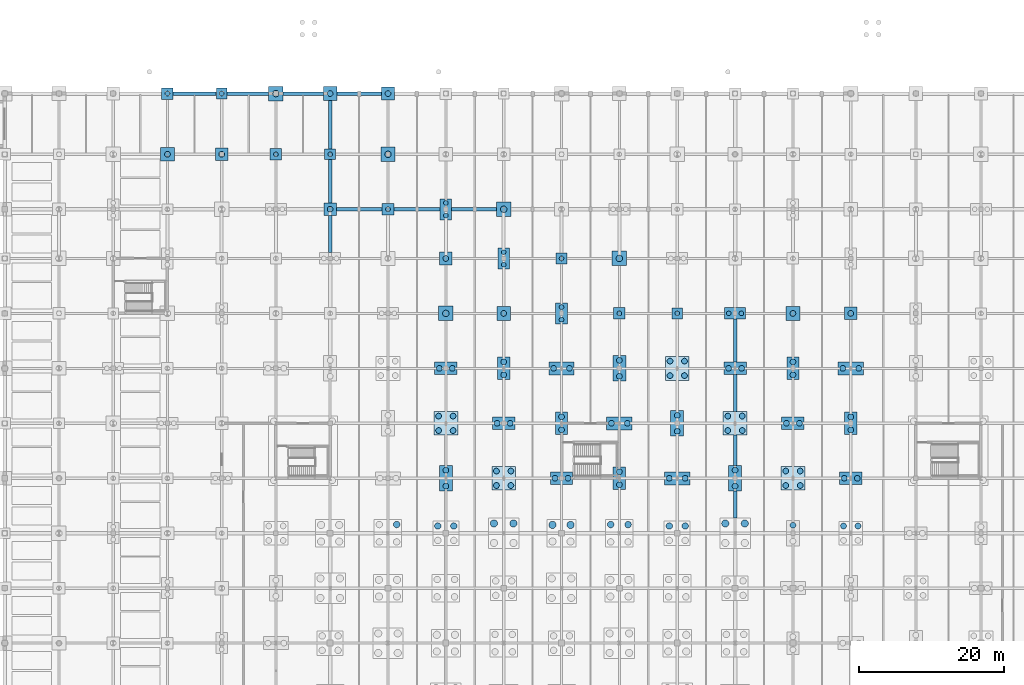
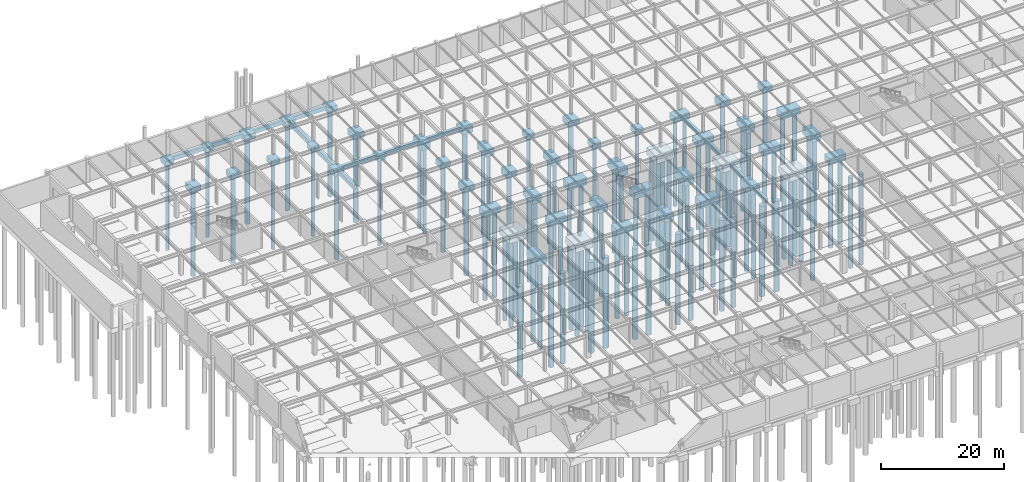
# One storey, part 5 of 53: 104 piles, 64 footings.
"""IFC4 building model written with IfcOpenShell, lengths in metres."""

from ifc_helpers import new_model, si_unit, direction, frame, origin, origin_2d, place, context, subcontext, project, spatial, rectangle, circle, extrude, material, material_profile, profile_set, type_object, element, save


model = new_model("IFC4")

# Units and contexts
model_context = context("Model", 3, precision=1e-05, world=origin(), true_north=direction((0.0, 1.0)))
body_context = subcontext(model_context, "Body", "Model", "MODEL_VIEW")
ifc_project = project(units=[si_unit("LENGTHUNIT", "METRE"), si_unit("AREAUNIT", "SQUARE_METRE"), si_unit("VOLUMEUNIT", "CUBIC_METRE"), si_unit("PLANEANGLEUNIT", "RADIAN"), si_unit("MASSUNIT", "GRAM", prefix="KILO")], contexts=[model_context])

# Site, building, storey
site_placement = place(None, origin())
site = spatial("IfcSite", under=ifc_project, at=site_placement, CompositionType="ELEMENT")
building_placement = place(site_placement, origin())
building = spatial("IfcBuilding", under=site, at=building_placement, Name="Shalkamar Park Central Library", CompositionType="ELEMENT")
storey_placement = place(building_placement, frame((0.0, 0.0, -4.800048828125)))
storey = spatial("IfcBuildingStorey", under=building, at=storey_placement, Name="B1", CompositionType="ELEMENT", Elevation=-4.800048828125)

# Piles
ifc_material = material(Name="Concrete C35/45", Category="concrete")
ifc_material_profile_1 = material_profile(ifc_material, circle(Radius=0.5, at=origin_2d()), Name="PILE D1000")
ifc_profile_set_1 = profile_set([ifc_material_profile_1], Name="Concrete C35/45")
pile_type_1 = type_object("IfcPileType", Name="Bored Concrete Pile D1000", PredefinedType="BORED", material=ifc_profile_set_1)
for number, where, z_axis, x_axis, name in (
    (1, (187.64990234375, 294.550048828125, -0.800048828125), (0.0, 0.0, -1.0), (1.0, 0.0, 0.0), "Bored Pile FC-10-H-P02"),
    (2, (190.35009765625, 294.550048828125, -0.800048828125), (0.0, 0.0, -1.0), (1.0, 0.0, 0.0), "Bored Pile FC-10-H-P04"),
    (3, (195.75, 294.35009765625, -0.800048828125), (0.0, 0.0, -1.0), (1.0, 0.0, 0.0), "Bored Pile FC-11-H-P02"),
    (4, (198.25, 294.35009765625, -0.800048828125), (0.0, 0.0, -1.0), (1.0, 0.0, 0.0), "Bored Pile FC-11-H-P04"),
    (5, (219.64990234375, 294.550048828125, -0.800048828125), (0.0, 0.0, -1.0), (1.0, 0.0, 0.0), "Bored Pile FC-14-H-P02"),
    (6, (222.35009765625, 294.550048828125, -0.800048828125), (0.0, 0.0, -1.0), (1.0, 0.0, 0.0), "Bored Pile FC-14-H-P04"),
):
    element("IfcPile", number, at=place(storey_placement, frame(where, z_axis=z_axis, x_axis=x_axis)), inside=storey, type_object=pile_type_1, Name=name, PredefinedType="BORED", context=body_context, shape_type="SweptSolid", body=[
        extrude(circle(Radius=0.5, at=origin_2d()), origin(), (0.0, 0.0, 1.0), 18.0),
    ])
ifc_material_profile_2 = material_profile(ifc_material, circle(Radius=0.324951171875, at=origin_2d()), Name="PILE D650")
ifc_profile_set_2 = profile_set([ifc_material_profile_2], Name="Concrete C35/45")
pile_type_2 = type_object("IfcPileType", Name="Bored Concrete Pile D650", PredefinedType="BORED", material=ifc_profile_set_2)
for number, where, z_axis, x_axis, name in (
    (7, (142.5, 354.0, -0.800048828125), (0.0, 0.0, -1.0), (1.0, 0.0, 0.0), "Bored Pile FC-04-R-P01"),
    (8, (150.0, 354.0, -0.800048828125), (0.0, 0.0, -1.0), (1.0, 0.0, 0.0), "Bored Pile FC-05-R-P01"),
    (9, (157.5, 345.60009765625, -0.800048828125), (0.0, 0.0, -1.0), (1.0, 0.0, 0.0), "Bored Pile FC-06-Q-P01"),
    (10, (165.0, 345.60009765625, -0.800048828125), (0.0, 0.0, -1.0), (1.0, 0.0, 0.0), "Bored Pile FC-07-Q-P01"),
    (11, (173.0, 338.0, -0.800048828125), (0.0, 0.0, -1.0), (1.0, 0.0, 0.0), "Bored Pile FC-08-P-P01"),
    (12, (181.0, 337.125, -0.800048828125), (0.0, 0.0, -1.0), (1.0, 0.0, 0.0), "Bored Pile FC-09-P-P01"),
    (13, (181.0, 338.875, -0.800048828125), (0.0, 0.0, -1.0), (1.0, 0.0, 0.0), "Bored Pile FC-09-P-P02"),
    (14, (189.0, 330.324951171875, -0.800048828125), (0.0, 0.0, -1.0), (1.0, 0.0, 0.0), "Bored Pile FC-10-N-P01"),
    (15, (189.0, 332.074951171875, -0.800048828125), (0.0, 0.0, -1.0), (1.0, 0.0, 0.0), "Bored Pile FC-10-N-P02"),
    (16, (197.0, 322.72509765625, -0.800048828125), (0.0, 0.0, -1.0), (1.0, 0.0, 0.0), "Bored Pile FC-11-M-P01"),
    (17, (197.0, 324.47509765625, -0.800048828125), (0.0, 0.0, -1.0), (1.0, 0.0, 0.0), "Bored Pile FC-11-M-P02"),
    (18, (197.0, 331.199951171875, -0.800048828125), (0.0, 0.0, -1.0), (1.0, 0.0, 0.0), "Bored Pile FC-11-N-P01"),
    (19, (205.0, 323.60009765625, -0.800048828125), (0.0, 0.0, -1.0), (1.0, 0.0, 0.0), "Bored Pile FC-12-M-P01"),
    (20, (213.0, 323.60009765625, -0.800048828125), (0.0, 0.0, -1.0), (1.0, 0.0, 0.0), "Bored Pile FC-13-M-P01"),
    (21, (220.125, 323.60009765625, -0.800048828125), (0.0, 0.0, -1.0), (1.0, 0.0, 0.0), "Bored Pile FC-14-M-P01"),
    (22, (221.875, 323.60009765625, -0.800048828125), (0.0, 0.0, -1.0), (1.0, 0.0, 0.0), "Bored Pile FC-14-M-P02"),
):
    element("IfcPile", number, at=place(storey_placement, frame(where, z_axis=z_axis, x_axis=x_axis)), inside=storey, type_object=pile_type_2, Name=name, PredefinedType="BORED", context=body_context, shape_type="SweptSolid", body=[
        extrude(circle(Radius=0.324951171875, at=origin_2d()), origin(), (0.0, 0.0, 1.0), 18.0),
    ])
ifc_material_profile_3 = material_profile(ifc_material, circle(Radius=0.39990234375, at=origin_2d()), Name="PILE D800")
ifc_profile_set_3 = profile_set([ifc_material_profile_3], Name="Concrete C35/45")
pile_type_3 = type_object("IfcPileType", Name="Bored Concrete Pile D800", PredefinedType="BORED", material=ifc_profile_set_3)
for number, where, z_axis, x_axis, name in (
    (23, (142.5, 345.60009765625, -0.800048828125), (0.0, 0.0, -1.0), (1.0, 0.0, 0.0), "Bored Pile FC-04-Q-P01"),
    (24, (150.0, 345.60009765625, -0.800048828125), (0.0, 0.0, -1.0), (1.0, 0.0, 0.0), "Bored Pile FC-05-Q-P01"),
    (25, (165.0, 338.0, -0.800048828125), (0.0, 0.0, -1.0), (1.0, 0.0, 0.0), "Bored Pile FC-07-P-P01"),
    (26, (165.0, 354.0, -0.800048828125), (0.0, 0.0, -1.0), (1.0, 0.0, 0.0), "Bored Pile FC-07-R-P01"),
    (27, (173.0, 354.0, -0.800048828125), (0.0, 0.0, -1.0), (1.0, 0.0, 0.0), "Bored Pile FC-08-R-P01"),
    (28, (181.0, 299.699951171875, -0.800048828125), (0.0, 0.0, -1.0), (1.0, 0.0, 0.0), "Bored Pile FC-09-J-P01"),
    (29, (181.0, 301.89990234375, -0.800048828125), (0.0, 0.0, -1.0), (1.0, 0.0, 0.0), "Bored Pile FC-09-J-P02"),
    (30, (180.0, 307.39990234375, -0.800048828125), (0.0, 0.0, -1.0), (1.0, 0.0, 0.0), "Bored Pile FC-09-K-P01"),
    (31, (180.0, 309.39990234375, -0.800048828125), (0.0, 0.0, -1.0), (1.0, 0.0, 0.0), "Bored Pile FC-09-K-P02"),
    (32, (182.0, 307.39990234375, -0.800048828125), (0.0, 0.0, -1.0), (1.0, 0.0, 0.0), "Bored Pile FC-09-K-P03"),
    (33, (182.0, 309.39990234375, -0.800048828125), (0.0, 0.0, -1.0), (1.0, 0.0, 0.0), "Bored Pile FC-09-K-P04"),
    (34, (180.10009765625, 316.0, -0.800048828125), (0.0, 0.0, -1.0), (1.0, 0.0, 0.0), "Bored Pile FC-09-L-P01"),
    (35, (181.89990234375, 316.0, -0.800048828125), (0.0, 0.0, -1.0), (1.0, 0.0, 0.0), "Bored Pile FC-09-L-P02"),
    (36, (181.0, 331.199951171875, -0.800048828125), (0.0, 0.0, -1.0), (1.0, 0.0, 0.0), "Bored Pile FC-09-N-P01"),
    (37, (188.0, 299.800048828125, -0.800048828125), (0.0, 0.0, -1.0), (1.0, 0.0, 0.0), "Bored Pile FC-10-J-P01"),
    (38, (188.0, 301.800048828125, -0.800048828125), (0.0, 0.0, -1.0), (1.0, 0.0, 0.0), "Bored Pile FC-10-J-P02"),
    (39, (190.0, 299.800048828125, -0.800048828125), (0.0, 0.0, -1.0), (1.0, 0.0, 0.0), "Bored Pile FC-10-J-P03"),
    (40, (190.0, 301.800048828125, -0.800048828125), (0.0, 0.0, -1.0), (1.0, 0.0, 0.0), "Bored Pile FC-10-J-P04"),
    (41, (188.10009765625, 308.39990234375, -0.800048828125), (0.0, 0.0, -1.0), (1.0, 0.0, 0.0), "Bored Pile FC-10-K-P01"),
    (42, (189.89990234375, 308.39990234375, -0.800048828125), (0.0, 0.0, -1.0), (1.0, 0.0, 0.0), "Bored Pile FC-10-K-P02"),
    (43, (189.0, 315.10009765625, -0.800048828125), (0.0, 0.0, -1.0), (1.0, 0.0, 0.0), "Bored Pile FC-10-L-P01"),
    (44, (189.0, 316.89990234375, -0.800048828125), (0.0, 0.0, -1.0), (1.0, 0.0, 0.0), "Bored Pile FC-10-L-P02"),
    (45, (189.0, 323.60009765625, -0.800048828125), (0.0, 0.0, -1.0), (1.0, 0.0, 0.0), "Bored Pile FC-10-M-P01"),
    (46, (196.10009765625, 300.800048828125, -0.800048828125), (0.0, 0.0, -1.0), (1.0, 0.0, 0.0), "Bored Pile FC-11-J-P01"),
    (47, (197.89990234375, 300.800048828125, -0.800048828125), (0.0, 0.0, -1.0), (1.0, 0.0, 0.0), "Bored Pile FC-11-J-P02"),
    (48, (197.0, 307.5, -0.800048828125), (0.0, 0.0, -1.0), (1.0, 0.0, 0.0), "Bored Pile FC-11-K-P01"),
    (49, (197.0, 309.300048828125, -0.800048828125), (0.0, 0.0, -1.0), (1.0, 0.0, 0.0), "Bored Pile FC-11-K-P02"),
    (50, (195.89990234375, 316.0, -0.800048828125), (0.0, 0.0, -1.0), (1.0, 0.0, 0.0), "Bored Pile FC-11-L-P01"),
    (51, (198.10009765625, 316.0, -0.800048828125), (0.0, 0.0, -1.0), (1.0, 0.0, 0.0), "Bored Pile FC-11-L-P02"),
    (52, (205.0, 299.89990234375, -0.800048828125), (0.0, 0.0, -1.0), (1.0, 0.0, 0.0), "Bored Pile FC-12-J-P01"),
    (53, (205.0, 301.699951171875, -0.800048828125), (0.0, 0.0, -1.0), (1.0, 0.0, 0.0), "Bored Pile FC-12-J-P02"),
    (54, (203.89990234375, 308.39990234375, -0.800048828125), (0.0, 0.0, -1.0), (1.0, 0.0, 0.0), "Bored Pile FC-12-K-P01"),
    (55, (206.10009765625, 308.39990234375, -0.800048828125), (0.0, 0.0, -1.0), (1.0, 0.0, 0.0), "Bored Pile FC-12-K-P02"),
    (56, (205.0, 314.89990234375, -0.800048828125), (0.0, 0.0, -1.0), (1.0, 0.0, 0.0), "Bored Pile FC-12-L-P01"),
    (57, (205.0, 317.10009765625, -0.800048828125), (0.0, 0.0, -1.0), (1.0, 0.0, 0.0), "Bored Pile FC-12-L-P02"),
    (58, (211.89990234375, 300.800048828125, -0.800048828125), (0.0, 0.0, -1.0), (1.0, 0.0, 0.0), "Bored Pile FC-13-J-P01"),
    (59, (214.10009765625, 300.800048828125, -0.800048828125), (0.0, 0.0, -1.0), (1.0, 0.0, 0.0), "Bored Pile FC-13-J-P02"),
    (60, (213.0, 307.300048828125, -0.800048828125), (0.0, 0.0, -1.0), (1.0, 0.0, 0.0), "Bored Pile FC-13-K-P01"),
    (61, (213.0, 309.5, -0.800048828125), (0.0, 0.0, -1.0), (1.0, 0.0, 0.0), "Bored Pile FC-13-K-P02"),
    (62, (212.0, 315.0, -0.800048828125), (0.0, 0.0, -1.0), (1.0, 0.0, 0.0), "Bored Pile FC-13-L-P01"),
    (63, (212.0, 317.0, -0.800048828125), (0.0, 0.0, -1.0), (1.0, 0.0, 0.0), "Bored Pile FC-13-L-P02"),
    (64, (214.0, 315.0, -0.800048828125), (0.0, 0.0, -1.0), (1.0, 0.0, 0.0), "Bored Pile FC-13-L-P03"),
    (65, (214.0, 317.0, -0.800048828125), (0.0, 0.0, -1.0), (1.0, 0.0, 0.0), "Bored Pile FC-13-L-P04"),
    (66, (221.0, 299.699951171875, -0.800048828125), (0.0, 0.0, -1.0), (1.0, 0.0, 0.0), "Bored Pile FC-14-J-P01"),
    (67, (221.0, 301.89990234375, -0.800048828125), (0.0, 0.0, -1.0), (1.0, 0.0, 0.0), "Bored Pile FC-14-J-P02"),
    (68, (220.0, 307.39990234375, -0.800048828125), (0.0, 0.0, -1.0), (1.0, 0.0, 0.0), "Bored Pile FC-14-K-P01"),
    (69, (220.0, 309.39990234375, -0.800048828125), (0.0, 0.0, -1.0), (1.0, 0.0, 0.0), "Bored Pile FC-14-K-P02"),
    (70, (222.0, 307.39990234375, -0.800048828125), (0.0, 0.0, -1.0), (1.0, 0.0, 0.0), "Bored Pile FC-14-K-P03"),
    (71, (222.0, 309.39990234375, -0.800048828125), (0.0, 0.0, -1.0), (1.0, 0.0, 0.0), "Bored Pile FC-14-K-P04"),
    (72, (220.10009765625, 316.0, -0.800048828125), (0.0, 0.0, -1.0), (1.0, 0.0, 0.0), "Bored Pile FC-14-L-P01"),
    (73, (221.89990234375, 316.0, -0.800048828125), (0.0, 0.0, -1.0), (1.0, 0.0, 0.0), "Bored Pile FC-14-L-P02"),
    (74, (229.0, 294.300048828125, -0.800048828125), (0.0, 0.0, -1.0), (1.0, 0.0, 0.0), "Bored Pile FC-15-H-P02"),
    (75, (228.0, 299.800048828125, -0.800048828125), (0.0, 0.0, -1.0), (1.0, 0.0, 0.0), "Bored Pile FC-15-J-P01"),
    (76, (228.0, 301.800048828125, -0.800048828125), (0.0, 0.0, -1.0), (1.0, 0.0, 0.0), "Bored Pile FC-15-J-P02"),
    (77, (230.0, 299.800048828125, -0.800048828125), (0.0, 0.0, -1.0), (1.0, 0.0, 0.0), "Bored Pile FC-15-J-P03"),
    (78, (230.0, 301.800048828125, -0.800048828125), (0.0, 0.0, -1.0), (1.0, 0.0, 0.0), "Bored Pile FC-15-J-P04"),
    (79, (228.10009765625, 308.39990234375, -0.800048828125), (0.0, 0.0, -1.0), (1.0, 0.0, 0.0), "Bored Pile FC-15-K-P01"),
    (80, (229.89990234375, 308.39990234375, -0.800048828125), (0.0, 0.0, -1.0), (1.0, 0.0, 0.0), "Bored Pile FC-15-K-P02"),
    (81, (229.0, 315.10009765625, -0.800048828125), (0.0, 0.0, -1.0), (1.0, 0.0, 0.0), "Bored Pile FC-15-L-P01"),
    (82, (229.0, 316.89990234375, -0.800048828125), (0.0, 0.0, -1.0), (1.0, 0.0, 0.0), "Bored Pile FC-15-L-P02"),
    (83, (229.0, 323.60009765625, -0.800048828125), (0.0, 0.0, -1.0), (1.0, 0.0, 0.0), "Bored Pile FC-15-M-P01"),
    (84, (236.0, 294.199951171875, -0.800048828125), (0.0, 0.0, -1.0), (1.0, 0.0, 0.0), "Bored Pile FC-16-H-P02"),
    (85, (238.0, 294.199951171875, -0.800048828125), (0.0, 0.0, -1.0), (1.0, 0.0, 0.0), "Bored Pile FC-16-H-P04"),
    (86, (236.10009765625, 300.800048828125, -0.800048828125), (0.0, 0.0, -1.0), (1.0, 0.0, 0.0), "Bored Pile FC-16-J-P01"),
    (87, (237.89990234375, 300.800048828125, -0.800048828125), (0.0, 0.0, -1.0), (1.0, 0.0, 0.0), "Bored Pile FC-16-J-P02"),
    (88, (237.0, 307.5, -0.800048828125), (0.0, 0.0, -1.0), (1.0, 0.0, 0.0), "Bored Pile FC-16-K-P01"),
    (89, (237.0, 309.300048828125, -0.800048828125), (0.0, 0.0, -1.0), (1.0, 0.0, 0.0), "Bored Pile FC-16-K-P02"),
    (90, (235.89990234375, 316.0, -0.800048828125), (0.0, 0.0, -1.0), (1.0, 0.0, 0.0), "Bored Pile FC-16-L-P01"),
    (91, (238.10009765625, 316.0, -0.800048828125), (0.0, 0.0, -1.0), (1.0, 0.0, 0.0), "Bored Pile FC-16-L-P02"),
    (92, (237.0, 323.60009765625, -0.800048828125), (0.0, 0.0, -1.0), (1.0, 0.0, 0.0), "Bored Pile FC-16-M-P01"),
):
    element("IfcPile", number, at=place(storey_placement, frame(where, z_axis=z_axis, x_axis=x_axis)), inside=storey, type_object=pile_type_3, Name=name, PredefinedType="BORED", context=body_context, shape_type="SweptSolid", body=[
        extrude(circle(Radius=0.39990234375, at=origin_2d()), origin(), (0.0, 0.0, 1.0), 18.0),
    ])
ifc_material_profile_4 = material_profile(ifc_material, circle(Radius=0.449951171875, at=origin_2d()), Name="PILE D900")
ifc_profile_set_4 = profile_set([ifc_material_profile_4], Name="Concrete C35/45")
pile_type_4 = type_object("IfcPileType", Name="Bored Concrete Pile D900", PredefinedType="BORED", material=ifc_profile_set_4)
for number, where, z_axis, x_axis, name in (
    (93, (157.5, 354.0, -0.800048828125), (0.0, 0.0, -1.0), (1.0, 0.0, 0.0), "Bored Pile FC-06-R-P01"),
    (94, (174.199951171875, 294.39990234375, -0.800048828125), (0.0, 0.0, -1.0), (1.0, 0.0, 0.0), "Bored Pile FC-08-H-P04"),
    (95, (173.0, 345.60009765625, -0.800048828125), (0.0, 0.0, -1.0), (1.0, 0.0, 0.0), "Bored Pile FC-08-Q-P01"),
    (96, (179.89990234375, 294.199951171875, -0.800048828125), (0.0, 0.0, -1.0), (1.0, 0.0, 0.0), "Bored Pile FC-09-H-P02"),
    (97, (182.10009765625, 294.199951171875, -0.800048828125), (0.0, 0.0, -1.0), (1.0, 0.0, 0.0), "Bored Pile FC-09-H-P04"),
    (98, (181.0, 323.60009765625, -0.800048828125), (0.0, 0.0, -1.0), (1.0, 0.0, 0.0), "Bored Pile FC-09-M-P01"),
    (99, (189.0, 338.0, -0.800048828125), (0.0, 0.0, -1.0), (1.0, 0.0, 0.0), "Bored Pile FC-10-P-P01"),
    (100, (203.800048828125, 294.39990234375, -0.800048828125), (0.0, 0.0, -1.0), (1.0, 0.0, 0.0), "Bored Pile FC-12-H-P02"),
    (101, (206.199951171875, 294.39990234375, -0.800048828125), (0.0, 0.0, -1.0), (1.0, 0.0, 0.0), "Bored Pile FC-12-H-P04"),
    (102, (205.0, 331.199951171875, -0.800048828125), (0.0, 0.0, -1.0), (1.0, 0.0, 0.0), "Bored Pile FC-12-N-P01"),
    (103, (211.89990234375, 294.199951171875, -0.800048828125), (0.0, 0.0, -1.0), (1.0, 0.0, 0.0), "Bored Pile FC-13-H-P02"),
    (104, (214.10009765625, 294.199951171875, -0.800048828125), (0.0, 0.0, -1.0), (1.0, 0.0, 0.0), "Bored Pile FC-13-H-P04"),
):
    element("IfcPile", number, at=place(storey_placement, frame(where, z_axis=z_axis, x_axis=x_axis)), inside=storey, type_object=pile_type_4, Name=name, PredefinedType="BORED", context=body_context, shape_type="SweptSolid", body=[
        extrude(circle(Radius=0.449951171875, at=origin_2d()), origin(), (0.0, 0.0, 1.0), 18.0),
    ])

# Footings
footing_type_1 = type_object("IfcFootingType", Name="Ground Tie Beam 500x750", PredefinedType="FOOTING_BEAM", material=ifc_material)
footing_1_placement = place(storey_placement, frame((169.03759765625, 338.0, -1.349853515625), z_axis=(0.0, 0.0, 1.0), x_axis=(1.0, 0.0, 0.0)))
element("IfcFooting", 105, at=footing_1_placement, inside=storey, type_object=footing_type_1, Name="Ground Tie Beam TB-X-07-P", PredefinedType="FOOTING_BEAM", context=body_context, shape_type="SweptSolid", body=[
    extrude(rectangle(XDim=6.324951171875, YDim=0.5, at=origin_2d()), origin(), (0.0, 0.0, 1.0), 0.75),
])
footing_2_placement = place(storey_placement, frame((177.0, 338.0, -1.349853515625), z_axis=(0.0, 0.0, 1.0), x_axis=(1.0, 0.0, 0.0)))
element("IfcFooting", 106, at=footing_2_placement, inside=storey, type_object=footing_type_1, Name="Ground Tie Beam TB-X-08-P", PredefinedType="FOOTING_BEAM", context=body_context, shape_type="SweptSolid", body=[
    extrude(rectangle(XDim=6.39990234375, YDim=0.5, at=origin_2d()), origin(), (0.0, 0.0, 1.0), 0.75),
])
footing_3_placement = place(storey_placement, frame((184.89990234375, 338.0, -1.349853515625), z_axis=(0.0, 0.0, 1.0), x_axis=(1.0, 0.0, 0.0)))
element("IfcFooting", 107, at=footing_3_placement, inside=storey, type_object=footing_type_1, Name="Ground Tie Beam TB-X-09-P", PredefinedType="FOOTING_BEAM", context=body_context, shape_type="SweptSolid", body=[
    extrude(rectangle(XDim=6.199951171875, YDim=0.5, at=origin_2d()), origin(), (0.0, 0.0, 1.0), 0.75),
])
footing_type_2 = type_object("IfcFootingType", Name="Ground Tie Beam 500x800", PredefinedType="FOOTING_BEAM", material=ifc_material)
footing_4_placement = place(storey_placement, frame((146.27490234375, 354.0, -1.39990234375), z_axis=(0.0, 0.0, 1.0), x_axis=(1.0, 0.0, 0.0)))
element("IfcFooting", 108, at=footing_4_placement, inside=storey, type_object=footing_type_2, Name="Ground Tie Beam TB-X-04-R", PredefinedType="FOOTING_BEAM", context=body_context, shape_type="SweptSolid", body=[
    extrude(rectangle(XDim=5.949951171875, YDim=0.5, at=origin_2d()), origin(), (0.0, 0.0, 1.0), 0.800048828125),
])
footing_5_placement = place(storey_placement, frame((153.625, 354.0, -1.39990234375), z_axis=(0.0, 0.0, 1.0), x_axis=(1.0, 0.0, 0.0)))
element("IfcFooting", 109, at=footing_5_placement, inside=storey, type_object=footing_type_2, Name="Ground Tie Beam TB-X-05-R", PredefinedType="FOOTING_BEAM", context=body_context, shape_type="SweptSolid", body=[
    extrude(rectangle(XDim=5.75, YDim=0.5, at=origin_2d()), origin(), (0.0, 0.0, 1.0), 0.800048828125),
])
footing_6_placement = place(storey_placement, frame((161.27490234375, 354.0, -1.39990234375), z_axis=(0.0, 0.0, 1.0), x_axis=(1.0, 0.0, 0.0)))
element("IfcFooting", 110, at=footing_6_placement, inside=storey, type_object=footing_type_2, Name="Ground Tie Beam TB-X-06-R", PredefinedType="FOOTING_BEAM", context=body_context, shape_type="SweptSolid", body=[
    extrude(rectangle(XDim=5.550048828125, YDim=0.5, at=origin_2d()), origin(), (0.0, 0.0, 1.0), 0.800048828125),
])
footing_7_placement = place(storey_placement, frame((169.03759765625, 354.0, -1.39990234375), z_axis=(0.0, 0.0, 1.0), x_axis=(1.0, 0.0, 0.0)))
element("IfcFooting", 111, at=footing_7_placement, inside=storey, type_object=footing_type_2, Name="Ground Tie Beam TB-X-07-R", PredefinedType="FOOTING_BEAM", context=body_context, shape_type="SweptSolid", body=[
    extrude(rectangle(XDim=6.175048828125, YDim=0.5, at=origin_2d()), origin(), (0.0, 0.0, 1.0), 0.800048828125),
])
footing_type_3 = type_object("IfcFootingType", Name="Ground Tie Beam 500x850", PredefinedType="FOOTING_BEAM", material=ifc_material)
footing_8_placement = place(storey_placement, frame((165.0, 334.5625, -1.449951171875), z_axis=(0.0, 0.0, 1.0), x_axis=(0.0, 1.0, 0.0)))
element("IfcFooting", 112, at=footing_8_placement, inside=storey, type_object=footing_type_3, Name="Ground Tie Beam TB-Y-07-N", PredefinedType="FOOTING_BEAM", context=body_context, shape_type="SweptSolid", body=[
    extrude(rectangle(XDim=5.125, YDim=0.5, at=origin_2d()), origin(), (0.0, 0.0, 1.0), 0.85009765625),
])
footing_9_placement = place(storey_placement, frame((165.0, 341.862548828125, -1.449951171875), z_axis=(0.0, 0.0, 1.0), x_axis=(0.0, 1.0, 0.0)))
element("IfcFooting", 113, at=footing_9_placement, inside=storey, type_object=footing_type_3, Name="Ground Tie Beam TB-Y-07-P", PredefinedType="FOOTING_BEAM", context=body_context, shape_type="SweptSolid", body=[
    extrude(rectangle(XDim=5.97509765625, YDim=0.5, at=origin_2d()), origin(), (0.0, 0.0, 1.0), 0.85009765625),
])
footing_10_placement = place(storey_placement, frame((165.0, 349.699951171875, -1.449951171875), z_axis=(0.0, 0.0, 1.0), x_axis=(0.0, 1.0, 0.0)))
element("IfcFooting", 114, at=footing_10_placement, inside=storey, type_object=footing_type_3, Name="Ground Tie Beam TB-Y-07-Q", PredefinedType="FOOTING_BEAM", context=body_context, shape_type="SweptSolid", body=[
    extrude(rectangle(XDim=6.699951171875, YDim=0.5, at=origin_2d()), origin(), (0.0, 0.0, 1.0), 0.85009765625),
])
footing_11_placement = place(storey_placement, frame((221.0, 297.175048828125, -1.449951171875), z_axis=(0.0, 0.0, 1.0), x_axis=(0.0, 1.0, 0.0)))
element("IfcFooting", 115, at=footing_11_placement, inside=storey, type_object=footing_type_3, Name="Ground Tie Beam TB-Y-14-H", PredefinedType="FOOTING_BEAM", context=body_context, shape_type="SweptSolid", body=[
    extrude(rectangle(XDim=3.75, YDim=0.5, at=origin_2d()), origin(), (0.0, 0.0, 1.0), 0.85009765625),
])
footing_12_placement = place(storey_placement, frame((221.0, 304.64990234375, -1.449951171875), z_axis=(0.0, 0.0, 1.0), x_axis=(0.0, 1.0, 0.0)))
element("IfcFooting", 116, at=footing_12_placement, inside=storey, type_object=footing_type_3, Name="Ground Tie Beam TB-Y-14-J", PredefinedType="FOOTING_BEAM", context=body_context, shape_type="SweptSolid", body=[
    extrude(rectangle(XDim=4.199951171875, YDim=0.5, at=origin_2d()), origin(), (0.0, 0.0, 1.0), 0.85009765625),
])
footing_13_placement = place(storey_placement, frame((221.0, 312.60009765625, -1.449951171875), z_axis=(0.0, 0.0, 1.0), x_axis=(0.0, 1.0, 0.0)))
element("IfcFooting", 117, at=footing_13_placement, inside=storey, type_object=footing_type_3, Name="Ground Tie Beam TB-Y-14-K", PredefinedType="FOOTING_BEAM", context=body_context, shape_type="SweptSolid", body=[
    extrude(rectangle(XDim=5.10009765625, YDim=0.5, at=origin_2d()), origin(), (0.0, 0.0, 1.0), 0.85009765625),
])
footing_14_placement = place(storey_placement, frame((221.0, 319.824951171875, -1.449951171875), z_axis=(0.0, 0.0, 1.0), x_axis=(0.0, 1.0, 0.0)))
element("IfcFooting", 118, at=footing_14_placement, inside=storey, type_object=footing_type_3, Name="Ground Tie Beam TB-Y-14-L", PredefinedType="FOOTING_BEAM", context=body_context, shape_type="SweptSolid", body=[
    extrude(rectangle(XDim=5.949951171875, YDim=0.5, at=origin_2d()), origin(), (0.0, 0.0, 1.0), 0.85009765625),
])
footing_type_4 = type_object("IfcFootingType", Name="Reinforced Concrete Pile Cap 150x150x100", PredefinedType="PILE_CAP", material=ifc_material)
for number, where, z_axis, x_axis, name in (
    (119, (150.0, 354.0, -1.599853515625), (0.0, 0.0, 1.0), (1.0, 0.0, 0.0), "Pile Cap FC-09"),
    (120, (165.0, 345.60009765625, -1.599853515625), (0.0, 0.0, 1.0), (1.0, 0.0, 0.0), "Pile Cap FC-09"),
    (121, (197.0, 331.199951171875, -1.599853515625), (0.0, 0.0, 1.0), (1.0, 0.0, 0.0), "Pile Cap FC-09"),
    (122, (213.0, 323.60009765625, -1.599853515625), (0.0, 0.0, 1.0), (1.0, 0.0, 0.0), "Pile Cap FC-09"),
):
    element("IfcFooting", number, at=place(storey_placement, frame(where, z_axis=z_axis, x_axis=x_axis)), inside=storey, type_object=footing_type_4, Name=name, PredefinedType="PILE_CAP", context=body_context, shape_type="SweptSolid", body=[
        extrude(rectangle(XDim=1.5, YDim=1.5, at=origin_2d()), origin(), (0.0, 0.0, 1.0), 1.0),
    ])
footing_type_5 = type_object("IfcFootingType", Name="Reinforced Concrete Pile Cap 160x160x105", PredefinedType="PILE_CAP", material=ifc_material)
for number, where, z_axis, x_axis, name in (
    (123, (142.5, 354.0, -1.64990234375), (0.0, 0.0, 1.0), (1.0, 0.0, 0.0), "Pile Cap FC-11"),
    (124, (157.5, 345.60009765625, -1.64990234375), (0.0, 0.0, 1.0), (1.0, 0.0, 0.0), "Pile Cap FC-11"),
    (125, (173.0, 338.0, -1.64990234375), (0.0, 0.0, 1.0), (1.0, 0.0, 0.0), "Pile Cap FC-11"),
    (126, (205.0, 323.60009765625, -1.64990234375), (0.0, 0.0, 1.0), (1.0, 0.0, 0.0), "Pile Cap FC-11"),
):
    element("IfcFooting", number, at=place(storey_placement, frame(where, z_axis=z_axis, x_axis=x_axis)), inside=storey, type_object=footing_type_5, Name=name, PredefinedType="PILE_CAP", context=body_context, shape_type="SweptSolid", body=[
        extrude(rectangle(XDim=1.60009765625, YDim=1.60009765625, at=origin_2d()), origin(), (0.0, 0.0, 1.0), 1.050048828125),
    ])
footing_type_6 = type_object("IfcFootingType", Name="Reinforced Concrete Pile Cap 160x290x125", PredefinedType="PILE_CAP", material=ifc_material)
for number, where, z_axis, x_axis, name in (
    (127, (181.0, 338.0, -1.849853515625), (0.0, 0.0, 1.0), (1.0, 0.0, 0.0), "Pile Cap FC-12"),
    (128, (189.0, 331.199951171875, -1.849853515625), (0.0, 0.0, 1.0), (1.0, 0.0, 0.0), "Pile Cap FC-12"),
    (129, (197.0, 323.60009765625, -1.849853515625), (0.0, 0.0, 1.0), (1.0, 0.0, 0.0), "Pile Cap FC-12"),
):
    element("IfcFooting", number, at=place(storey_placement, frame(where, z_axis=z_axis, x_axis=x_axis)), inside=storey, type_object=footing_type_6, Name=name, PredefinedType="PILE_CAP", context=body_context, shape_type="SweptSolid", body=[
        extrude(rectangle(XDim=1.60009765625, YDim=2.89990234375, at=origin_2d()), origin(), (0.0, 0.0, 1.0), 1.25),
    ])
footing_type_7 = type_object("IfcFootingType", Name="Reinforced Concrete Pile Cap 170x310x130", PredefinedType="PILE_CAP", material=ifc_material)
for number, where, z_axis, x_axis, name in (
    (130, (189.0, 316.0, -1.89990234375), (0.0, 0.0, 1.0), (1.0, 0.0, 0.0), "Pile Cap FC-15"),
    (131, (197.0, 308.39990234375, -1.89990234375), (0.0, 0.0, 1.0), (1.0, 0.0, 0.0), "Pile Cap FC-15"),
    (132, (205.0, 300.800048828125, -1.89990234375), (0.0, 0.0, 1.0), (1.0, 0.0, 0.0), "Pile Cap FC-15"),
    (133, (229.0, 316.0, -1.89990234375), (0.0, 0.0, 1.0), (1.0, 0.0, 0.0), "Pile Cap FC-15"),
    (134, (237.0, 308.39990234375, -1.89990234375), (0.0, 0.0, 1.0), (1.0, 0.0, 0.0), "Pile Cap FC-15"),
):
    element("IfcFooting", number, at=place(storey_placement, frame(where, z_axis=z_axis, x_axis=x_axis)), inside=storey, type_object=footing_type_7, Name=name, PredefinedType="PILE_CAP", context=body_context, shape_type="SweptSolid", body=[
        extrude(rectangle(XDim=1.699951171875, YDim=3.10009765625, at=origin_2d()), origin(), (0.0, 0.0, 1.0), 1.300048828125),
    ])
footing_type_8 = type_object("IfcFootingType", Name="Reinforced Concrete Pile Cap 175x175x110", PredefinedType="PILE_CAP", material=ifc_material)
for number, where, z_axis, x_axis, name in (
    (135, (150.0, 345.60009765625, -1.699951171875), (0.0, 0.0, 1.0), (1.0, 0.0, 0.0), "Pile Cap FC-08"),
    (136, (165.0, 338.0, -1.699951171875), (0.0, 0.0, 1.0), (1.0, 0.0, 0.0), "Pile Cap FC-08"),
    (137, (173.0, 354.0, -1.699951171875), (0.0, 0.0, 1.0), (1.0, 0.0, 0.0), "Pile Cap FC-08"),
    (138, (181.0, 331.199951171875, -1.699951171875), (0.0, 0.0, 1.0), (1.0, 0.0, 0.0), "Pile Cap FC-08"),
    (139, (237.0, 323.60009765625, -1.699951171875), (0.0, 0.0, 1.0), (1.0, 0.0, 0.0), "Pile Cap FC-08"),
):
    element("IfcFooting", number, at=place(storey_placement, frame(where, z_axis=z_axis, x_axis=x_axis)), inside=storey, type_object=footing_type_8, Name=name, PredefinedType="PILE_CAP", context=body_context, shape_type="SweptSolid", body=[
        extrude(rectangle(XDim=1.75, YDim=1.75, at=origin_2d()), origin(), (0.0, 0.0, 1.0), 1.10009765625),
    ])
footing_type_9 = type_object("IfcFootingType", Name="Reinforced Concrete Pile Cap 180x350x140", PredefinedType="PILE_CAP", material=ifc_material)
for number, where, z_axis, x_axis, name in (
    (140, (181.0, 300.800048828125, -2.0), (0.0, 0.0, 1.0), (1.0, 0.0, 0.0), "Pile Cap FC-17"),
    (141, (205.0, 316.0, -2.0), (0.0, 0.0, 1.0), (1.0, 0.0, 0.0), "Pile Cap FC-17"),
    (142, (213.0, 308.39990234375, -2.0), (0.0, 0.0, 1.0), (1.0, 0.0, 0.0), "Pile Cap FC-17"),
    (143, (221.0, 300.800048828125, -2.0), (0.0, 0.0, 1.0), (1.0, 0.0, 0.0), "Pile Cap FC-17"),
):
    element("IfcFooting", number, at=place(storey_placement, frame(where, z_axis=z_axis, x_axis=x_axis)), inside=storey, type_object=footing_type_9, Name=name, PredefinedType="PILE_CAP", context=body_context, shape_type="SweptSolid", body=[
        extrude(rectangle(XDim=1.800048828125, YDim=3.5, at=origin_2d()), origin(), (0.0, 0.0, 1.0), 1.39990234375),
    ])
footing_type_10 = type_object("IfcFootingType", Name="Reinforced Concrete Pile Cap 190x190x115", PredefinedType="PILE_CAP", material=ifc_material)
for number, where, z_axis, x_axis, name in (
    (144, (142.5, 345.60009765625, -1.75), (0.0, 0.0, 1.0), (1.0, 0.0, 0.0), "Pile Cap FC-10"),
    (145, (165.0, 354.0, -1.75), (0.0, 0.0, 1.0), (1.0, 0.0, 0.0), "Pile Cap FC-10"),
    (146, (189.0, 323.60009765625, -1.75), (0.0, 0.0, 1.0), (1.0, 0.0, 0.0), "Pile Cap FC-10"),
    (147, (229.0, 323.60009765625, -1.75), (0.0, 0.0, 1.0), (1.0, 0.0, 0.0), "Pile Cap FC-10"),
):
    element("IfcFooting", number, at=place(storey_placement, frame(where, z_axis=z_axis, x_axis=x_axis)), inside=storey, type_object=footing_type_10, Name=name, PredefinedType="PILE_CAP", context=body_context, shape_type="SweptSolid", body=[
        extrude(rectangle(XDim=1.89990234375, YDim=1.89990234375, at=origin_2d()), origin(), (0.0, 0.0, 1.0), 1.14990234375),
    ])
footing_type_11 = type_object("IfcFootingType", Name="Reinforced Concrete Pile Cap 200x200x120", PredefinedType="PILE_CAP", material=ifc_material)
for number, where, z_axis, x_axis, name in (
    (148, (157.5, 354.0, -1.7998046875), (0.0, 0.0, 1.0), (1.0, 0.0, 0.0), "Pile Cap FC-07"),
    (149, (173.0, 345.60009765625, -1.7998046875), (0.0, 0.0, 1.0), (1.0, 0.0, 0.0), "Pile Cap FC-07"),
    (150, (181.0, 323.60009765625, -1.7998046875), (0.0, 0.0, 1.0), (1.0, 0.0, 0.0), "Pile Cap FC-07"),
    (151, (189.0, 338.0, -1.7998046875), (0.0, 0.0, 1.0), (1.0, 0.0, 0.0), "Pile Cap FC-07"),
    (152, (205.0, 331.199951171875, -1.7998046875), (0.0, 0.0, 1.0), (1.0, 0.0, 0.0), "Pile Cap FC-07"),
):
    element("IfcFooting", number, at=place(storey_placement, frame(where, z_axis=z_axis, x_axis=x_axis)), inside=storey, type_object=footing_type_11, Name=name, PredefinedType="PILE_CAP", context=body_context, shape_type="SweptSolid", body=[
        extrude(rectangle(XDim=2.0, YDim=2.0, at=origin_2d()), origin(), (0.0, 0.0, 1.0), 1.199951171875),
    ])
footing_type_12 = type_object("IfcFootingType", Name="Reinforced Concrete Pile Cap 290x160x125", PredefinedType="PILE_CAP", material=ifc_material)
footing_15_placement = place(storey_placement, frame((221.0, 323.60009765625, -1.849853515625), z_axis=(0.0, 0.0, 1.0), x_axis=(1.0, 0.0, 0.0)))
element("IfcFooting", 153, at=footing_15_placement, inside=storey, type_object=footing_type_12, Name="Pile Cap FC-13", PredefinedType="PILE_CAP", context=body_context, shape_type="SweptSolid", body=[
    extrude(rectangle(XDim=2.89990234375, YDim=1.60009765625, at=origin_2d()), origin(), (0.0, 0.0, 1.0), 1.25),
])
footing_type_13 = type_object("IfcFootingType", Name="Reinforced Concrete Pile Cap 310x170x130", PredefinedType="PILE_CAP", material=ifc_material)
for number, where, z_axis, x_axis, name in (
    (154, (181.0, 316.0, -1.89990234375), (0.0, 0.0, 1.0), (1.0, 0.0, 0.0), "Pile Cap FC-14"),
    (155, (189.0, 308.39990234375, -1.89990234375), (0.0, 0.0, 1.0), (1.0, 0.0, 0.0), "Pile Cap FC-14"),
    (156, (197.0, 300.800048828125, -1.89990234375), (0.0, 0.0, 1.0), (1.0, 0.0, 0.0), "Pile Cap FC-14"),
    (157, (221.0, 316.0, -1.89990234375), (0.0, 0.0, 1.0), (1.0, 0.0, 0.0), "Pile Cap FC-14"),
    (158, (229.0, 308.39990234375, -1.89990234375), (0.0, 0.0, 1.0), (1.0, 0.0, 0.0), "Pile Cap FC-14"),
    (159, (237.0, 300.800048828125, -1.89990234375), (0.0, 0.0, 1.0), (1.0, 0.0, 0.0), "Pile Cap FC-14"),
):
    element("IfcFooting", number, at=place(storey_placement, frame(where, z_axis=z_axis, x_axis=x_axis)), inside=storey, type_object=footing_type_13, Name=name, PredefinedType="PILE_CAP", context=body_context, shape_type="SweptSolid", body=[
        extrude(rectangle(XDim=3.10009765625, YDim=1.699951171875, at=origin_2d()), origin(), (0.0, 0.0, 1.0), 1.300048828125),
    ])
footing_type_14 = type_object("IfcFootingType", Name="Reinforced Concrete Pile Cap 330x330x135", PredefinedType="PILE_CAP", material=ifc_material)
for number, where, z_axis, x_axis, name in (
    (160, (181.0, 308.39990234375, -1.949951171875), (0.0, 0.0, 1.0), (1.0, 0.0, 0.0), "Pile Cap FC-18"),
    (161, (189.0, 300.800048828125, -1.949951171875), (0.0, 0.0, 1.0), (1.0, 0.0, 0.0), "Pile Cap FC-18"),
    (162, (213.0, 316.0, -1.949951171875), (0.0, 0.0, 1.0), (1.0, 0.0, 0.0), "Pile Cap FC-18"),
    (163, (221.0, 308.39990234375, -1.949951171875), (0.0, 0.0, 1.0), (1.0, 0.0, 0.0), "Pile Cap FC-18"),
    (164, (229.0, 300.800048828125, -1.949951171875), (0.0, 0.0, 1.0), (1.0, 0.0, 0.0), "Pile Cap FC-18"),
):
    element("IfcFooting", number, at=place(storey_placement, frame(where, z_axis=z_axis, x_axis=x_axis)), inside=storey, type_object=footing_type_14, Name=name, PredefinedType="PILE_CAP", context=body_context, shape_type="SweptSolid", body=[
        extrude(rectangle(XDim=3.300048828125, YDim=3.300048828125, at=origin_2d()), origin(), (0.0, 0.0, 1.0), 1.35009765625),
    ])
footing_type_15 = type_object("IfcFootingType", Name="Reinforced Concrete Pile Cap 350x180x140", PredefinedType="PILE_CAP", material=ifc_material)
for number, where, z_axis, x_axis, name in (
    (165, (197.0, 316.0, -2.0), (0.0, 0.0, 1.0), (1.0, 0.0, 0.0), "Pile Cap FC-16"),
    (166, (205.0, 308.39990234375, -2.0), (0.0, 0.0, 1.0), (1.0, 0.0, 0.0), "Pile Cap FC-16"),
    (167, (213.0, 300.800048828125, -2.0), (0.0, 0.0, 1.0), (1.0, 0.0, 0.0), "Pile Cap FC-16"),
    (168, (237.0, 316.0, -2.0), (0.0, 0.0, 1.0), (1.0, 0.0, 0.0), "Pile Cap FC-16"),
):
    element("IfcFooting", number, at=place(storey_placement, frame(where, z_axis=z_axis, x_axis=x_axis)), inside=storey, type_object=footing_type_15, Name=name, PredefinedType="PILE_CAP", context=body_context, shape_type="SweptSolid", body=[
        extrude(rectangle(XDim=3.5, YDim=1.800048828125, at=origin_2d()), origin(), (0.0, 0.0, 1.0), 1.39990234375),
    ])

save(model, "model.ifc")
